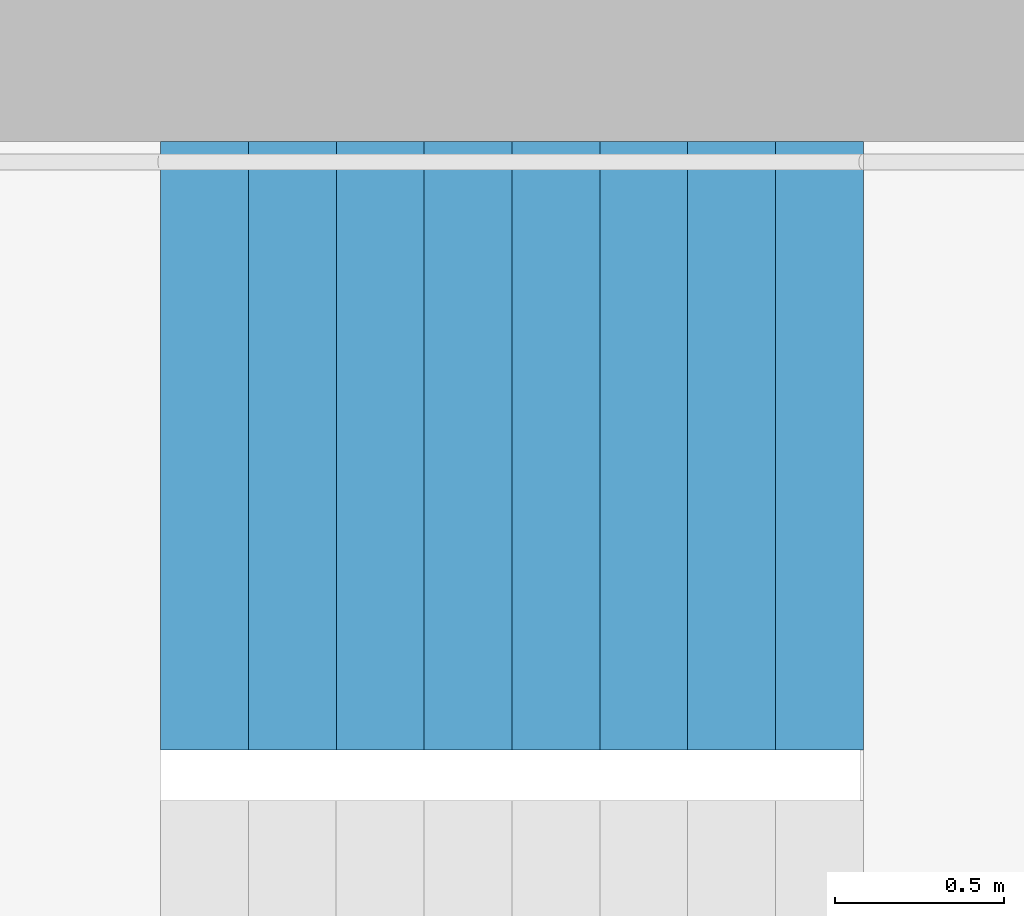
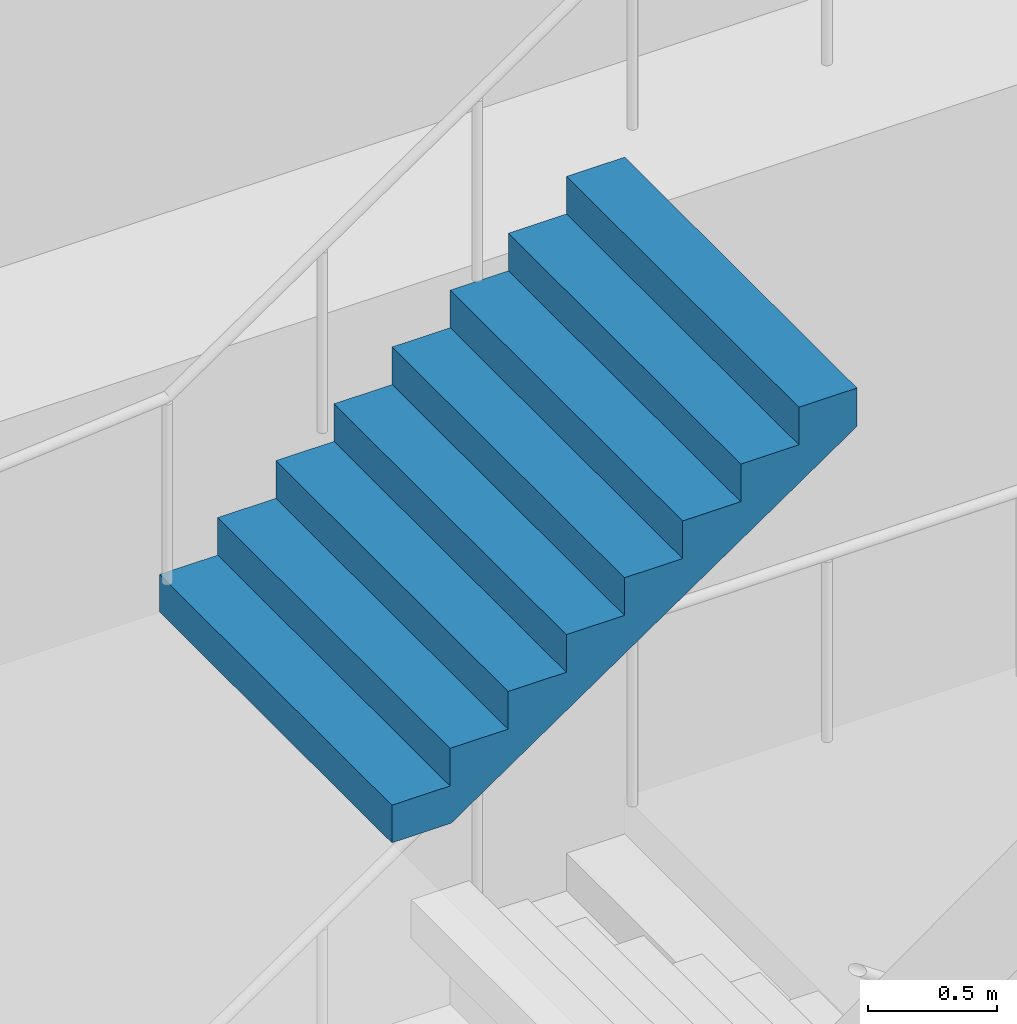
# One storey, part 32 of 43: 1 stair flight, 1 element without a shape of its own.
"""IFC4 building model written with IfcOpenShell, lengths in metres."""

from ifc_helpers import new_model, si_unit, direction, frame, origin, place, context, subcontext, project, spatial, triangles, material, type_object, element, aggregate, save


model = new_model("IFC4")

# Units and contexts
model_context = context("Model", 3, precision=1e-05, world=origin(), true_north=direction((0.0, 1.0)))
body_context = subcontext(model_context, "Body", "Model", "MODEL_VIEW")
ifc_project = project(units=[si_unit("LENGTHUNIT", "METRE"), si_unit("AREAUNIT", "SQUARE_METRE"), si_unit("VOLUMEUNIT", "CUBIC_METRE"), si_unit("PLANEANGLEUNIT", "RADIAN"), si_unit("MASSUNIT", "GRAM", prefix="KILO")], contexts=[model_context])

# Site, building, storey
site_placement = place(None, origin())
site = spatial("IfcSite", under=ifc_project, at=site_placement, CompositionType="ELEMENT")
building_placement = place(site_placement, origin())
building = spatial("IfcBuilding", under=site, at=building_placement, Name="Hakoniwa Tower and Hamabe Station Hall", CompositionType="ELEMENT")
storey_placement = place(building_placement, frame((0.0, 0.0, 124.60009765625)))
storey = spatial("IfcBuildingStorey", under=building, at=storey_placement, Name="L35", CompositionType="ELEMENT", Elevation=124.60009765625)

# Stair, stair flight
ifc_material_1 = material(Name="Concrete C40", Category="concrete")
stair_type = type_object("IfcStairType", Name="ESCAPE STAIR 1800", PredefinedType="HALF_TURN_STAIR", material=ifc_material_1)
stair_placement = place(storey_placement, origin())
stair = element("IfcStair", 1, at=stair_placement, inside=storey, type_object=stair_type, Name="Escape stair ST-3 L35", PredefinedType="HALF_TURN_STAIR")
ifc_material_2 = material(Name="Concrete C40", Category="concrete")
stair_flight_type = type_object("IfcStairFlightType", Name="STAIR FLIGHT 1800", PredefinedType="STRAIGHT", material=ifc_material_2)
stair_flight_placement = place(storey_placement, frame((22.320068359375, 6.60009765625, 4.7998046875), z_axis=(0.0, 0.0, 1.0), x_axis=(1.0, 0.0, 0.0)))
stair_flight = element("IfcStairFlight", 2, at=stair_flight_placement, type_object=stair_flight_type, Name="ST-3 flight 4", NumberOfRisers=9, NumberOfTreads=8, PredefinedType="STRAIGHT", RiserHeight=0.177777778, TreadLength=0.26, context=body_context, shape_type="Tessellation", body=[
    triangles([(0.0, 0.89990234375, 0.0), (0.260009765625, 0.89990234375, 0.0), (0.265625, 0.89990234375, 0.0), (0.52001953125, 0.89990234375, 0.174072265625), (0.780029296875, 0.89990234375, 0.351806640625), (1.0400390625, 0.89990234375, 0.529541015625), (1.300048828125, 0.89990234375, 0.707275390625), (1.56005859375, 0.89990234375, 0.885009765625), (1.820068359375, 0.89990234375, 1.062744140625), (2.080078125, 0.89990234375, 1.24072265625), (2.080078125, 0.89990234375, 1.422119140625), (1.820068359375, 0.89990234375, 1.422119140625), (1.820068359375, 0.89990234375, 1.244384765625), (1.56005859375, 0.89990234375, 1.244384765625), (1.56005859375, 0.89990234375, 1.066650390625), (1.300048828125, 0.89990234375, 1.066650390625), (1.300048828125, 0.89990234375, 0.888916015625), (1.0400390625, 0.89990234375, 0.888916015625), (1.0400390625, 0.89990234375, 0.711181640625), (0.780029296875, 0.89990234375, 0.711181640625), (0.780029296875, 0.89990234375, 0.533447265625), (0.52001953125, 0.89990234375, 0.533447265625), (0.52001953125, 0.89990234375, 0.35546875), (0.265625, 0.89990234375, 0.35546875), (0.260009765625, 0.89990234375, 0.35546875), (0.260009765625, 0.89990234375, 0.177734375), (0.0, 0.89990234375, 0.177734375), (0.0, 0.06005859375, 0.0), (0.260009765625, 0.06005859375, 0.0), (0.265625, 0.06005859375, 0.0), (0.52001953125, 0.06005859375, 0.174072265625), (0.780029296875, 0.06005859375, 0.351806640625), (1.0400390625, 0.06005859375, 0.529541015625), (1.300048828125, 0.06005859375, 0.707275390625), (1.56005859375, 0.06005859375, 0.885009765625), (1.820068359375, 0.06005859375, 1.062744140625), (2.080078125, 0.06005859375, 1.24072265625), (2.080078125, 0.06005859375, 1.422119140625), (1.820068359375, 0.06005859375, 1.422119140625), (1.820068359375, 0.06005859375, 1.244384765625), (1.56005859375, 0.06005859375, 1.244384765625), (1.56005859375, 0.06005859375, 1.066650390625), (1.300048828125, 0.06005859375, 1.066650390625), (1.300048828125, 0.06005859375, 0.888916015625), (1.0400390625, 0.06005859375, 0.888916015625), (1.0400390625, 0.06005859375, 0.711181640625), (0.780029296875, 0.06005859375, 0.711181640625), (0.780029296875, 0.06005859375, 0.533447265625), (0.52001953125, 0.06005859375, 0.533447265625), (0.52001953125, 0.06005859375, 0.35546875), (0.265625, 0.06005859375, 0.35546875), (0.260009765625, 0.06005859375, 0.35546875), (0.260009765625, 0.06005859375, 0.177734375), (0.0, 0.06005859375, 0.177734375), (0.0, 0.04296875, 0.0), (0.260009765625, 0.04296875, 0.0), (0.265625, 0.04296875, 0.0), (0.52001953125, 0.04296875, 0.174072265625), (0.780029296875, 0.04296875, 0.351806640625), (1.0400390625, 0.04296875, 0.529541015625), (1.300048828125, 0.04296875, 0.707275390625), (1.56005859375, 0.04296875, 0.885009765625), (1.820068359375, 0.04296875, 1.062744140625), (2.080078125, 0.04296875, 1.24072265625), (2.080078125, 0.04296875, 1.422119140625), (1.820068359375, 0.04296875, 1.422119140625), (1.820068359375, 0.04296875, 1.244384765625), (1.56005859375, 0.04296875, 1.244384765625), (1.56005859375, 0.04296875, 1.066650390625), (1.300048828125, 0.04296875, 1.066650390625), (1.300048828125, 0.04296875, 0.888916015625), (1.0400390625, 0.04296875, 0.888916015625), (1.0400390625, 0.04296875, 0.711181640625), (0.780029296875, 0.04296875, 0.711181640625), (0.780029296875, 0.04296875, 0.533447265625), (0.52001953125, 0.04296875, 0.533447265625), (0.52001953125, 0.04296875, 0.35546875), (0.265625, 0.04296875, 0.35546875), (0.260009765625, 0.04296875, 0.35546875), (0.260009765625, 0.04296875, 0.177734375), (0.0, 0.04296875, 0.177734375), (0.0, 0.025634765625, 0.0), (0.260009765625, 0.025634765625, 0.0), (0.265625, 0.025634765625, 0.0), (0.52001953125, 0.025634765625, 0.174072265625), (0.780029296875, 0.025634765625, 0.351806640625), (1.0400390625, 0.025634765625, 0.529541015625), (1.300048828125, 0.025634765625, 0.707275390625), (1.56005859375, 0.025634765625, 0.885009765625), (1.820068359375, 0.025634765625, 1.062744140625), (2.080078125, 0.025634765625, 1.24072265625), (2.080078125, 0.025634765625, 1.422119140625), (1.820068359375, 0.025634765625, 1.422119140625), (1.820068359375, 0.025634765625, 1.244384765625), (1.56005859375, 0.025634765625, 1.244384765625), (1.56005859375, 0.025634765625, 1.066650390625), (1.300048828125, 0.025634765625, 1.066650390625), (1.300048828125, 0.025634765625, 0.888916015625), (1.0400390625, 0.025634765625, 0.888916015625), (1.0400390625, 0.025634765625, 0.711181640625), (0.780029296875, 0.025634765625, 0.711181640625), (0.780029296875, 0.025634765625, 0.533447265625), (0.52001953125, 0.025634765625, 0.533447265625), (0.52001953125, 0.025634765625, 0.35546875), (0.265625, 0.025634765625, 0.35546875), (0.260009765625, 0.025634765625, 0.35546875), (0.260009765625, 0.025634765625, 0.177734375), (0.0, 0.025634765625, 0.177734375), (0.0, 0.008544921875, 0.0), (0.260009765625, 0.008544921875, 0.0), (0.265625, 0.008544921875, 0.0), (0.52001953125, 0.008544921875, 0.174072265625), (0.780029296875, 0.008544921875, 0.351806640625), (1.0400390625, 0.008544921875, 0.529541015625), (1.300048828125, 0.008544921875, 0.707275390625), (1.56005859375, 0.008544921875, 0.885009765625), (1.820068359375, 0.008544921875, 1.062744140625), (2.080078125, 0.008544921875, 1.24072265625), (2.080078125, 0.008544921875, 1.422119140625), (1.820068359375, 0.008544921875, 1.422119140625), (1.820068359375, 0.008544921875, 1.244384765625), (1.56005859375, 0.008544921875, 1.244384765625), (1.56005859375, 0.008544921875, 1.066650390625), (1.300048828125, 0.008544921875, 1.066650390625), (1.300048828125, 0.008544921875, 0.888916015625), (1.0400390625, 0.008544921875, 0.888916015625), (1.0400390625, 0.008544921875, 0.711181640625), (0.780029296875, 0.008544921875, 0.711181640625), (0.780029296875, 0.008544921875, 0.533447265625), (0.52001953125, 0.008544921875, 0.533447265625), (0.52001953125, 0.008544921875, 0.35546875), (0.265625, 0.008544921875, 0.35546875), (0.260009765625, 0.008544921875, 0.35546875), (0.260009765625, 0.008544921875, 0.177734375), (0.0, 0.008544921875, 0.177734375), (0.0, -0.008544921875, 0.0), (0.260009765625, -0.008544921875, 0.0), (0.265625, -0.008544921875, 0.0), (0.52001953125, -0.008544921875, 0.174072265625), (0.780029296875, -0.008544921875, 0.351806640625), (1.0400390625, -0.008544921875, 0.529541015625), (1.300048828125, -0.008544921875, 0.707275390625), (1.56005859375, -0.008544921875, 0.885009765625), (1.820068359375, -0.008544921875, 1.062744140625), (2.080078125, -0.008544921875, 1.24072265625), (2.080078125, -0.008544921875, 1.422119140625), (1.820068359375, -0.008544921875, 1.422119140625), (1.820068359375, -0.008544921875, 1.244384765625), (1.56005859375, -0.008544921875, 1.244384765625), (1.56005859375, -0.008544921875, 1.066650390625), (1.300048828125, -0.008544921875, 1.066650390625), (1.300048828125, -0.008544921875, 0.888916015625), (1.0400390625, -0.008544921875, 0.888916015625), (1.0400390625, -0.008544921875, 0.711181640625), (0.780029296875, -0.008544921875, 0.711181640625), (0.780029296875, -0.008544921875, 0.533447265625), (0.52001953125, -0.008544921875, 0.533447265625), (0.52001953125, -0.008544921875, 0.35546875), (0.265625, -0.008544921875, 0.35546875), (0.260009765625, -0.008544921875, 0.35546875), (0.260009765625, -0.008544921875, 0.177734375), (0.0, -0.008544921875, 0.177734375), (0.0, -0.025634765625, 0.0), (0.260009765625, -0.025634765625, 0.0), (0.265625, -0.025634765625, 0.0), (0.52001953125, -0.025634765625, 0.174072265625), (0.780029296875, -0.025634765625, 0.351806640625), (1.0400390625, -0.025634765625, 0.529541015625), (1.300048828125, -0.025634765625, 0.707275390625), (1.56005859375, -0.025634765625, 0.885009765625), (1.820068359375, -0.025634765625, 1.062744140625), (2.080078125, -0.025634765625, 1.24072265625), (2.080078125, -0.025634765625, 1.422119140625), (1.820068359375, -0.025634765625, 1.422119140625), (1.820068359375, -0.025634765625, 1.244384765625), (1.56005859375, -0.025634765625, 1.244384765625), (1.56005859375, -0.025634765625, 1.066650390625), (1.300048828125, -0.025634765625, 1.066650390625), (1.300048828125, -0.025634765625, 0.888916015625), (1.0400390625, -0.025634765625, 0.888916015625), (1.0400390625, -0.025634765625, 0.711181640625), (0.780029296875, -0.025634765625, 0.711181640625), (0.780029296875, -0.025634765625, 0.533447265625), (0.52001953125, -0.025634765625, 0.533447265625), (0.52001953125, -0.025634765625, 0.35546875), (0.265625, -0.025634765625, 0.35546875), (0.260009765625, -0.025634765625, 0.35546875), (0.260009765625, -0.025634765625, 0.177734375), (0.0, -0.025634765625, 0.177734375), (0.0, -0.04296875, 0.0), (0.260009765625, -0.04296875, 0.0), (0.265625, -0.04296875, 0.0), (0.52001953125, -0.04296875, 0.174072265625), (0.780029296875, -0.04296875, 0.351806640625), (1.0400390625, -0.04296875, 0.529541015625), (1.300048828125, -0.04296875, 0.707275390625), (1.56005859375, -0.04296875, 0.885009765625), (1.820068359375, -0.04296875, 1.062744140625), (2.080078125, -0.04296875, 1.24072265625), (2.080078125, -0.04296875, 1.422119140625), (1.820068359375, -0.04296875, 1.422119140625), (1.820068359375, -0.04296875, 1.244384765625), (1.56005859375, -0.04296875, 1.244384765625), (1.56005859375, -0.04296875, 1.066650390625), (1.300048828125, -0.04296875, 1.066650390625), (1.300048828125, -0.04296875, 0.888916015625), (1.0400390625, -0.04296875, 0.888916015625), (1.0400390625, -0.04296875, 0.711181640625), (0.780029296875, -0.04296875, 0.711181640625), (0.780029296875, -0.04296875, 0.533447265625), (0.52001953125, -0.04296875, 0.533447265625), (0.52001953125, -0.04296875, 0.35546875), (0.265625, -0.04296875, 0.35546875), (0.260009765625, -0.04296875, 0.35546875), (0.260009765625, -0.04296875, 0.177734375), (0.0, -0.04296875, 0.177734375), (0.0, -0.06005859375, 0.0), (0.260009765625, -0.06005859375, 0.0), (0.265625, -0.06005859375, 0.0), (0.52001953125, -0.06005859375, 0.174072265625), (0.780029296875, -0.06005859375, 0.351806640625), (1.0400390625, -0.06005859375, 0.529541015625), (1.300048828125, -0.06005859375, 0.707275390625), (1.56005859375, -0.06005859375, 0.885009765625), (1.820068359375, -0.06005859375, 1.062744140625), (2.080078125, -0.06005859375, 1.24072265625), (2.080078125, -0.06005859375, 1.422119140625), (1.820068359375, -0.06005859375, 1.422119140625), (1.820068359375, -0.06005859375, 1.244384765625), (1.56005859375, -0.06005859375, 1.244384765625), (1.56005859375, -0.06005859375, 1.066650390625), (1.300048828125, -0.06005859375, 1.066650390625), (1.300048828125, -0.06005859375, 0.888916015625), (1.0400390625, -0.06005859375, 0.888916015625), (1.0400390625, -0.06005859375, 0.711181640625), (0.780029296875, -0.06005859375, 0.711181640625), (0.780029296875, -0.06005859375, 0.533447265625), (0.52001953125, -0.06005859375, 0.533447265625), (0.52001953125, -0.06005859375, 0.35546875), (0.265625, -0.06005859375, 0.35546875), (0.260009765625, -0.06005859375, 0.35546875), (0.260009765625, -0.06005859375, 0.177734375), (0.0, -0.06005859375, 0.177734375), (0.0, -0.89990234375, 0.0), (0.260009765625, -0.89990234375, 0.0), (0.265625, -0.89990234375, 0.0), (0.52001953125, -0.89990234375, 0.174072265625), (0.780029296875, -0.89990234375, 0.351806640625), (1.0400390625, -0.89990234375, 0.529541015625), (1.300048828125, -0.89990234375, 0.707275390625), (1.56005859375, -0.89990234375, 0.885009765625), (1.820068359375, -0.89990234375, 1.062744140625), (2.080078125, -0.89990234375, 1.24072265625), (2.080078125, -0.89990234375, 1.422119140625), (1.820068359375, -0.89990234375, 1.422119140625), (1.820068359375, -0.89990234375, 1.244384765625), (1.56005859375, -0.89990234375, 1.244384765625), (1.56005859375, -0.89990234375, 1.066650390625), (1.300048828125, -0.89990234375, 1.066650390625), (1.300048828125, -0.89990234375, 0.888916015625), (1.0400390625, -0.89990234375, 0.888916015625), (1.0400390625, -0.89990234375, 0.711181640625), (0.780029296875, -0.89990234375, 0.711181640625), (0.780029296875, -0.89990234375, 0.533447265625), (0.52001953125, -0.89990234375, 0.533447265625), (0.52001953125, -0.89990234375, 0.35546875), (0.265625, -0.89990234375, 0.35546875), (0.260009765625, -0.89990234375, 0.35546875), (0.260009765625, -0.89990234375, 0.177734375), (0.0, -0.89990234375, 0.177734375)], [[2, 27, 26], [245, 269, 270], [2, 1, 27], [245, 270, 244], [3, 25, 24], [246, 267, 268], [3, 26, 25], [246, 268, 269], [3, 2, 26], [246, 269, 245], [4, 24, 23], [247, 266, 267], [4, 3, 24], [247, 267, 246], [5, 22, 21], [248, 264, 265], [5, 23, 22], [248, 265, 266], [5, 4, 23], [248, 266, 247], [6, 20, 19], [249, 262, 263], [6, 21, 20], [249, 263, 264], [6, 5, 21], [249, 264, 248], [7, 18, 17], [250, 260, 261], [7, 19, 18], [250, 261, 262], [7, 6, 19], [250, 262, 249], [8, 16, 15], [251, 258, 259], [8, 17, 16], [251, 259, 260], [8, 7, 17], [251, 260, 250], [9, 14, 13], [252, 256, 257], [9, 15, 14], [252, 257, 258], [9, 8, 15], [252, 258, 251], [10, 12, 11], [253, 254, 255], [10, 13, 12], [253, 255, 256], [10, 9, 13], [253, 256, 252], [1, 2, 29], [1, 29, 28], [28, 29, 56], [28, 56, 55], [55, 56, 83], [55, 83, 82], [82, 83, 110], [82, 110, 109], [109, 110, 137], [109, 137, 136], [136, 137, 164], [136, 164, 163], [163, 164, 191], [163, 191, 190], [190, 191, 218], [190, 218, 217], [217, 218, 245], [217, 245, 244], [2, 3, 30], [2, 30, 29], [29, 30, 57], [29, 57, 56], [56, 57, 84], [56, 84, 83], [83, 84, 111], [83, 111, 110], [110, 111, 138], [110, 138, 137], [137, 138, 165], [137, 165, 164], [164, 165, 192], [164, 192, 191], [191, 192, 219], [191, 219, 218], [218, 219, 246], [218, 246, 245], [3, 4, 31], [3, 31, 30], [30, 31, 58], [30, 58, 57], [57, 58, 85], [57, 85, 84], [84, 85, 112], [84, 112, 111], [111, 112, 139], [111, 139, 138], [138, 139, 166], [138, 166, 165], [165, 166, 193], [165, 193, 192], [192, 193, 220], [192, 220, 219], [219, 220, 247], [219, 247, 246], [4, 5, 32], [4, 32, 31], [31, 32, 59], [31, 59, 58], [58, 59, 86], [58, 86, 85], [85, 86, 113], [85, 113, 112], [112, 113, 140], [112, 140, 139], [139, 140, 167], [139, 167, 166], [166, 167, 194], [166, 194, 193], [193, 194, 221], [193, 221, 220], [220, 221, 248], [220, 248, 247], [5, 6, 33], [5, 33, 32], [32, 33, 60], [32, 60, 59], [59, 60, 87], [59, 87, 86], [86, 87, 114], [86, 114, 113], [113, 114, 141], [113, 141, 140], [140, 141, 168], [140, 168, 167], [167, 168, 195], [167, 195, 194], [194, 195, 222], [194, 222, 221], [221, 222, 249], [221, 249, 248], [6, 7, 34], [6, 34, 33], [33, 34, 61], [33, 61, 60], [60, 61, 88], [60, 88, 87], [87, 88, 115], [87, 115, 114], [114, 115, 142], [114, 142, 141], [141, 142, 169], [141, 169, 168], [168, 169, 196], [168, 196, 195], [195, 196, 223], [195, 223, 222], [222, 223, 250], [222, 250, 249], [7, 8, 35], [7, 35, 34], [34, 35, 62], [34, 62, 61], [61, 62, 89], [61, 89, 88], [88, 89, 116], [88, 116, 115], [115, 116, 143], [115, 143, 142], [142, 143, 170], [142, 170, 169], [169, 170, 197], [169, 197, 196], [196, 197, 224], [196, 224, 223], [223, 224, 251], [223, 251, 250], [8, 9, 36], [8, 36, 35], [35, 36, 63], [35, 63, 62], [62, 63, 90], [62, 90, 89], [89, 90, 117], [89, 117, 116], [116, 117, 144], [116, 144, 143], [143, 144, 171], [143, 171, 170], [170, 171, 198], [170, 198, 197], [197, 198, 225], [197, 225, 224], [224, 225, 252], [224, 252, 251], [9, 10, 37], [9, 37, 36], [36, 37, 64], [36, 64, 63], [63, 64, 91], [63, 91, 90], [90, 91, 118], [90, 118, 117], [117, 118, 145], [117, 145, 144], [144, 145, 172], [144, 172, 171], [171, 172, 199], [171, 199, 198], [198, 199, 226], [198, 226, 225], [225, 226, 253], [225, 253, 252], [10, 11, 38], [10, 38, 37], [37, 38, 65], [37, 65, 64], [64, 65, 92], [64, 92, 91], [91, 92, 119], [91, 119, 118], [118, 119, 146], [118, 146, 145], [145, 146, 173], [145, 173, 172], [172, 173, 200], [172, 200, 199], [199, 200, 227], [199, 227, 226], [226, 227, 254], [226, 254, 253], [11, 12, 39], [11, 39, 38], [38, 39, 66], [38, 66, 65], [65, 66, 93], [65, 93, 92], [92, 93, 120], [92, 120, 119], [119, 120, 147], [119, 147, 146], [146, 147, 174], [146, 174, 173], [173, 174, 201], [173, 201, 200], [200, 201, 228], [200, 228, 227], [227, 228, 255], [227, 255, 254], [12, 13, 40], [12, 40, 39], [39, 40, 67], [39, 67, 66], [66, 67, 94], [66, 94, 93], [93, 94, 121], [93, 121, 120], [120, 121, 148], [120, 148, 147], [147, 148, 175], [147, 175, 174], [174, 175, 202], [174, 202, 201], [201, 202, 229], [201, 229, 228], [228, 229, 256], [228, 256, 255], [13, 14, 41], [13, 41, 40], [40, 41, 68], [40, 68, 67], [67, 68, 95], [67, 95, 94], [94, 95, 122], [94, 122, 121], [121, 122, 149], [121, 149, 148], [148, 149, 176], [148, 176, 175], [175, 176, 203], [175, 203, 202], [202, 203, 230], [202, 230, 229], [229, 230, 257], [229, 257, 256], [14, 15, 42], [14, 42, 41], [41, 42, 69], [41, 69, 68], [68, 69, 96], [68, 96, 95], [95, 96, 123], [95, 123, 122], [122, 123, 150], [122, 150, 149], [149, 150, 177], [149, 177, 176], [176, 177, 204], [176, 204, 203], [203, 204, 231], [203, 231, 230], [230, 231, 258], [230, 258, 257], [15, 16, 43], [15, 43, 42], [42, 43, 70], [42, 70, 69], [69, 70, 97], [69, 97, 96], [96, 97, 124], [96, 124, 123], [123, 124, 151], [123, 151, 150], [150, 151, 178], [150, 178, 177], [177, 178, 205], [177, 205, 204], [204, 205, 232], [204, 232, 231], [231, 232, 259], [231, 259, 258], [16, 17, 44], [16, 44, 43], [43, 44, 71], [43, 71, 70], [70, 71, 98], [70, 98, 97], [97, 98, 125], [97, 125, 124], [124, 125, 152], [124, 152, 151], [151, 152, 179], [151, 179, 178], [178, 179, 206], [178, 206, 205], [205, 206, 233], [205, 233, 232], [232, 233, 260], [232, 260, 259], [17, 18, 45], [17, 45, 44], [44, 45, 72], [44, 72, 71], [71, 72, 99], [71, 99, 98], [98, 99, 126], [98, 126, 125], [125, 126, 153], [125, 153, 152], [152, 153, 180], [152, 180, 179], [179, 180, 207], [179, 207, 206], [206, 207, 234], [206, 234, 233], [233, 234, 261], [233, 261, 260], [18, 19, 46], [18, 46, 45], [45, 46, 73], [45, 73, 72], [72, 73, 100], [72, 100, 99], [99, 100, 127], [99, 127, 126], [126, 127, 154], [126, 154, 153], [153, 154, 181], [153, 181, 180], [180, 181, 208], [180, 208, 207], [207, 208, 235], [207, 235, 234], [234, 235, 262], [234, 262, 261], [19, 20, 47], [19, 47, 46], [46, 47, 74], [46, 74, 73], [73, 74, 101], [73, 101, 100], [100, 101, 128], [100, 128, 127], [127, 128, 155], [127, 155, 154], [154, 155, 182], [154, 182, 181], [181, 182, 209], [181, 209, 208], [208, 209, 236], [208, 236, 235], [235, 236, 263], [235, 263, 262], [20, 21, 48], [20, 48, 47], [47, 48, 75], [47, 75, 74], [74, 75, 102], [74, 102, 101], [101, 102, 129], [101, 129, 128], [128, 129, 156], [128, 156, 155], [155, 156, 183], [155, 183, 182], [182, 183, 210], [182, 210, 209], [209, 210, 237], [209, 237, 236], [236, 237, 264], [236, 264, 263], [21, 22, 49], [21, 49, 48], [48, 49, 76], [48, 76, 75], [75, 76, 103], [75, 103, 102], [102, 103, 130], [102, 130, 129], [129, 130, 157], [129, 157, 156], [156, 157, 184], [156, 184, 183], [183, 184, 211], [183, 211, 210], [210, 211, 238], [210, 238, 237], [237, 238, 265], [237, 265, 264], [22, 23, 50], [22, 50, 49], [49, 50, 77], [49, 77, 76], [76, 77, 104], [76, 104, 103], [103, 104, 131], [103, 131, 130], [130, 131, 158], [130, 158, 157], [157, 158, 185], [157, 185, 184], [184, 185, 212], [184, 212, 211], [211, 212, 239], [211, 239, 238], [238, 239, 266], [238, 266, 265], [23, 24, 51], [23, 51, 50], [50, 51, 78], [50, 78, 77], [77, 78, 105], [77, 105, 104], [104, 105, 132], [104, 132, 131], [131, 132, 159], [131, 159, 158], [158, 159, 186], [158, 186, 185], [185, 186, 213], [185, 213, 212], [212, 213, 240], [212, 240, 239], [239, 240, 267], [239, 267, 266], [24, 25, 52], [24, 52, 51], [51, 52, 79], [51, 79, 78], [78, 79, 106], [78, 106, 105], [105, 106, 133], [105, 133, 132], [132, 133, 160], [132, 160, 159], [159, 160, 187], [159, 187, 186], [186, 187, 214], [186, 214, 213], [213, 214, 241], [213, 241, 240], [240, 241, 268], [240, 268, 267], [25, 26, 53], [25, 53, 52], [52, 53, 80], [52, 80, 79], [79, 80, 107], [79, 107, 106], [106, 107, 134], [106, 134, 133], [133, 134, 161], [133, 161, 160], [160, 161, 188], [160, 188, 187], [187, 188, 215], [187, 215, 214], [214, 215, 242], [214, 242, 241], [241, 242, 269], [241, 269, 268], [26, 27, 54], [26, 54, 53], [53, 54, 81], [53, 81, 80], [80, 81, 108], [80, 108, 107], [107, 108, 135], [107, 135, 134], [134, 135, 162], [134, 162, 161], [161, 162, 189], [161, 189, 188], [188, 189, 216], [188, 216, 215], [215, 216, 243], [215, 243, 242], [242, 243, 270], [242, 270, 269], [27, 1, 28], [27, 28, 54], [54, 28, 55], [54, 55, 81], [81, 55, 82], [81, 82, 108], [108, 82, 109], [108, 109, 135], [135, 109, 136], [135, 136, 162], [162, 136, 163], [162, 163, 189], [189, 163, 190], [189, 190, 216], [216, 190, 217], [216, 217, 243], [243, 217, 244], [243, 244, 270]], closed=True),
])
aggregate(stair, [stair_flight])

save(model, "model.ifc")
